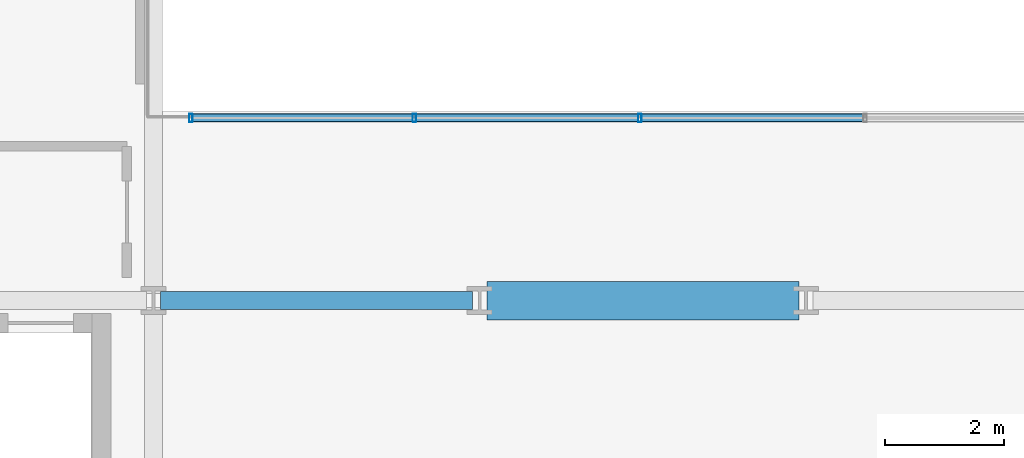
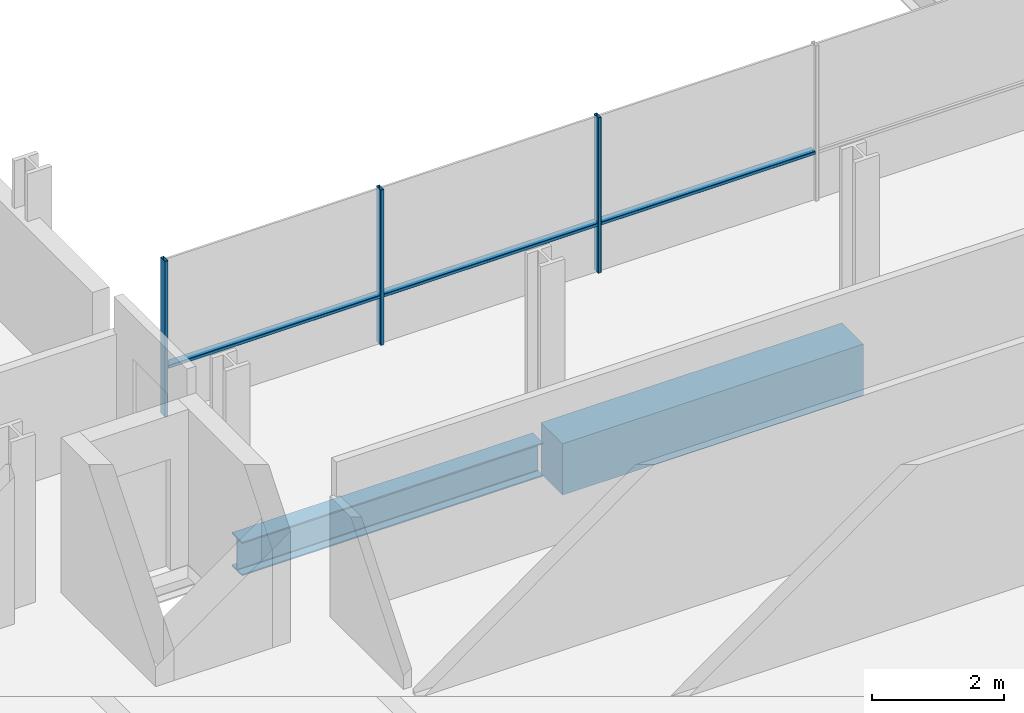
# One storey, part 4 of 40: 6 members, 2 beams, 1 element without a shape of its own.
"""IFC4 building model written with IfcOpenShell, lengths in metres."""

from ifc_helpers import new_model, si_unit, direction, frame, origin, origin_2d, place, context, subcontext, project, spatial, rectangle, hollow_rectangle, i_section, extrude, material, layer, layer_set, material_profile, profile_set, type_object, element, aggregate, save


model = new_model("IFC4")

# Units and contexts
model_context = context("Model", 3, precision=1e-05, world=origin(), true_north=direction((0.0, 1.0)))
body_context = subcontext(model_context, "Body", "Model", "MODEL_VIEW")
ifc_project = project(units=[si_unit("LENGTHUNIT", "METRE"), si_unit("AREAUNIT", "SQUARE_METRE"), si_unit("VOLUMEUNIT", "CUBIC_METRE"), si_unit("PLANEANGLEUNIT", "RADIAN"), si_unit("MASSUNIT", "GRAM", prefix="KILO")], contexts=[model_context])

# Site, building, storey
site_placement = place(None, origin())
site = spatial("IfcSite", under=ifc_project, at=site_placement, CompositionType="ELEMENT")
building_placement = place(site_placement, origin())
building = spatial("IfcBuilding", under=site, at=building_placement, Name="Brevholm Reach", CompositionType="ELEMENT")
storey_placement = place(building_placement, frame((0.0, 0.0, 37.300048828125)))
storey = spatial("IfcBuildingStorey", under=building, at=storey_placement, Name="L09", CompositionType="ELEMENT", Elevation=37.300048828125)

# Beams
ifc_material_1 = material(Name="Concrete C60/75", Category="concrete")
ifc_material_profile_1 = material_profile(ifc_material_1, rectangle(XDim=0.64990234375, YDim=0.949951171875, at=origin_2d()), Name="RC 650x950")
ifc_profile_set_1 = profile_set([ifc_material_profile_1], Name="Concrete C60/75")
beam_type_1 = type_object("IfcBeamType", Name="BM-CB650", PredefinedType="LINTEL", material=ifc_profile_set_1)
beam_1_placement = place(storey_placement, frame((27.3701171875, 10.0, -0.705078125), z_axis=(1.0, 0.0, 0.0), x_axis=(0.0, 1.0, 0.0)))
element("IfcBeam", 1, at=beam_1_placement, inside=storey, type_object=beam_type_1, Name="L09 CB-01 Framing Beam", PredefinedType="LINTEL", context=body_context, shape_type="SweptSolid", body=[
    extrude(rectangle(XDim=0.64990234375, YDim=0.949951171875, at=origin_2d()), origin(), (0.0, 0.0, 1.0), 5.259765625),
])
ifc_material_2 = material(Name="Structural Steel S355J2", Category="steel")
ifc_material_profile_2 = material_profile(ifc_material_2, i_section(OverallWidth=0.30712890625, OverallDepth=0.6201171875, WebThickness=0.01416015625, FlangeThickness=0.023681640625, FilletRadius=0.0166015625, at=origin_2d()), Name="UKB 610x305x179")
ifc_profile_set_2 = profile_set([ifc_material_profile_2], Name="Structural Steel S355J2")
beam_type_2 = type_object("IfcBeamType", Name="BM-UKB610H", PredefinedType="USERDEFINED", material=ifc_profile_set_2)
beam_2_placement = place(storey_placement, frame((21.8701171875, 10.0, -0.5400390625), z_axis=(1.0, 0.0, 0.0), x_axis=(0.0, 1.0, 0.0)))
element("IfcBeam", 2, at=beam_2_placement, inside=storey, type_object=beam_type_2, Name="L09 G-06 Framing Beam", ObjectType="GIRDER", PredefinedType="USERDEFINED", context=body_context, shape_type="SweptSolid", body=[
    extrude(i_section(OverallWidth=0.30712890625, OverallDepth=0.6201171875, WebThickness=0.01416015625, FlangeThickness=0.023681640625, FilletRadius=0.0166015625, at=origin_2d()), origin(), (0.0, 0.0, 1.0), 5.259765625),
])

# Curtain wall, members
ifc_material_3 = material(Name="Dark Anodised Aluminium 6063-T6 and Solar-Control Glass", Category="aluminium")
ifc_layer = layer(ifc_material_3, 0.139892578125)
ifc_layer_set = layer_set([ifc_layer], Name="Dark Anodised Aluminium 6063-T6 and Solar-Control Glass")
curtain_wall_type = type_object("IfcCurtainWallType", Name="CW-02", PredefinedType="NOTDEFINED", material=ifc_layer_set)
curtain_wall_placement = place(storey_placement, origin())
curtain_wall = element("IfcCurtainWall", 3, at=curtain_wall_placement, inside=storey, type_object=curtain_wall_type, Name="L09 Curtain Wall CW-02", PredefinedType="NOTDEFINED")
ifc_material_4 = material(Name="Dark Anodised Aluminium 6063-T6", Category="aluminium")
ifc_material_profile_3 = material_profile(ifc_material_4, hollow_rectangle(XDim=0.06005859375, YDim=0.139892578125, WallThickness=0.0048828125, InnerFilletRadius=0.0048828125, OuterFilletRadius=0.010009765625, at=origin_2d()), Name="RHS 140x60x5")
ifc_profile_set_3 = profile_set([ifc_material_profile_3], Name="Dark Anodised Aluminium 6063-T6")
member_type_1 = type_object("IfcMemberType", Name="CWM-140", PredefinedType="MULLION", material=ifc_profile_set_3)
member_1_placement = place(storey_placement, frame((22.3798828125, 13.080078125, 0.0), z_axis=(0.0, 0.0, 1.0), x_axis=(1.0, 0.0, 0.0)))
member_1 = element("IfcMember", 4, at=member_1_placement, type_object=member_type_1, Name="CM-140 Mullion 1", PredefinedType="MULLION", context=body_context, shape_type="SweptSolid", body=[
    extrude(hollow_rectangle(XDim=0.06005859375, YDim=0.139892578125, WallThickness=0.0048828125, InnerFilletRadius=0.0048828125, OuterFilletRadius=0.010009765625, at=origin_2d()), origin(), (0.0, 0.0, 1.0), 2.869873046875),
])
member_2_placement = place(storey_placement, frame((26.14990234375, 13.080078125, 0.0), z_axis=(0.0, 0.0, 1.0), x_axis=(1.0, 0.0, 0.0)))
member_2 = element("IfcMember", 5, at=member_2_placement, type_object=member_type_1, Name="CM-140 Mullion 2", PredefinedType="MULLION", context=body_context, shape_type="SweptSolid", body=[
    extrude(hollow_rectangle(XDim=0.06005859375, YDim=0.139892578125, WallThickness=0.0048828125, InnerFilletRadius=0.0048828125, OuterFilletRadius=0.010009765625, at=origin_2d()), origin(), (0.0, 0.0, 1.0), 2.869873046875),
])
member_3_placement = place(storey_placement, frame((29.949951171875, 13.080078125, 0.0), z_axis=(0.0, 0.0, 1.0), x_axis=(1.0, 0.0, 0.0)))
member_3 = element("IfcMember", 6, at=member_3_placement, type_object=member_type_1, Name="CM-140 Mullion 3", PredefinedType="MULLION", context=body_context, shape_type="SweptSolid", body=[
    extrude(hollow_rectangle(XDim=0.06005859375, YDim=0.139892578125, WallThickness=0.0048828125, InnerFilletRadius=0.0048828125, OuterFilletRadius=0.010009765625, at=origin_2d()), origin(), (0.0, 0.0, 1.0), 2.869873046875),
])
ifc_material_5 = material(Name="Dark Anodised Aluminium 6063-T6", Category="aluminium")
ifc_material_profile_4 = material_profile(ifc_material_5, hollow_rectangle(XDim=0.06005859375, YDim=0.139892578125, WallThickness=0.0048828125, InnerFilletRadius=0.0048828125, OuterFilletRadius=0.010009765625, at=origin_2d()), Name="RHS 140x60x5")
ifc_profile_set_4 = profile_set([ifc_material_profile_4], Name="Dark Anodised Aluminium 6063-T6")
member_type_2 = type_object("IfcMemberType", Name="CWT-140", PredefinedType="NOTDEFINED", material=ifc_profile_set_4)
member_4_placement = place(storey_placement, frame((22.409912109375, 13.080078125, 0.89990234375), z_axis=(1.0, 0.0, 0.0), x_axis=(0.0, 0.0, 1.0)))
member_4 = element("IfcMember", 7, at=member_4_placement, type_object=member_type_2, Name="CT-140 Transom 1.1", ObjectType="TRANSOM", PredefinedType="USERDEFINED", context=body_context, shape_type="SweptSolid", body=[
    extrude(hollow_rectangle(XDim=0.06005859375, YDim=0.139892578125, WallThickness=0.0048828125, InnerFilletRadius=0.0048828125, OuterFilletRadius=0.010009765625, at=origin_2d()), origin(), (0.0, 0.0, 1.0), 3.710205078125),
])
member_5_placement = place(storey_placement, frame((26.179931640625, 13.080078125, 0.89990234375), z_axis=(1.0, 0.0, 0.0), x_axis=(0.0, 0.0, 1.0)))
member_5 = element("IfcMember", 8, at=member_5_placement, type_object=member_type_2, Name="CT-140 Transom 2.1", ObjectType="TRANSOM", PredefinedType="USERDEFINED", context=body_context, shape_type="SweptSolid", body=[
    extrude(hollow_rectangle(XDim=0.06005859375, YDim=0.139892578125, WallThickness=0.0048828125, InnerFilletRadius=0.0048828125, OuterFilletRadius=0.010009765625, at=origin_2d()), origin(), (0.0, 0.0, 1.0), 3.739990234375),
])
member_6_placement = place(storey_placement, frame((29.97998046875, 13.080078125, 0.89990234375), z_axis=(1.0, 0.0, 0.0), x_axis=(0.0, 0.0, 1.0)))
member_6 = element("IfcMember", 9, at=member_6_placement, type_object=member_type_2, Name="CT-140 Transom 3.1", ObjectType="TRANSOM", PredefinedType="USERDEFINED", context=body_context, shape_type="SweptSolid", body=[
    extrude(hollow_rectangle(XDim=0.06005859375, YDim=0.139892578125, WallThickness=0.0048828125, InnerFilletRadius=0.0048828125, OuterFilletRadius=0.010009765625, at=origin_2d()), origin(), (0.0, 0.0, 1.0), 3.739990234375),
])
aggregate(curtain_wall, [member_1, member_2, member_3, member_4, member_5, member_6])

save(model, "model.ifc")
